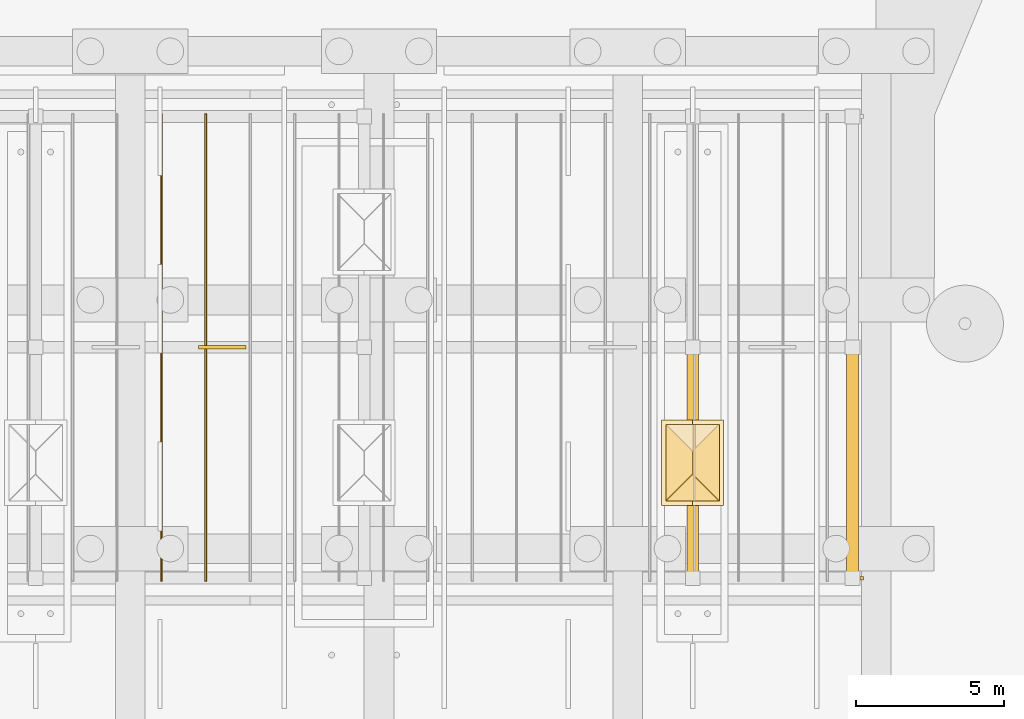
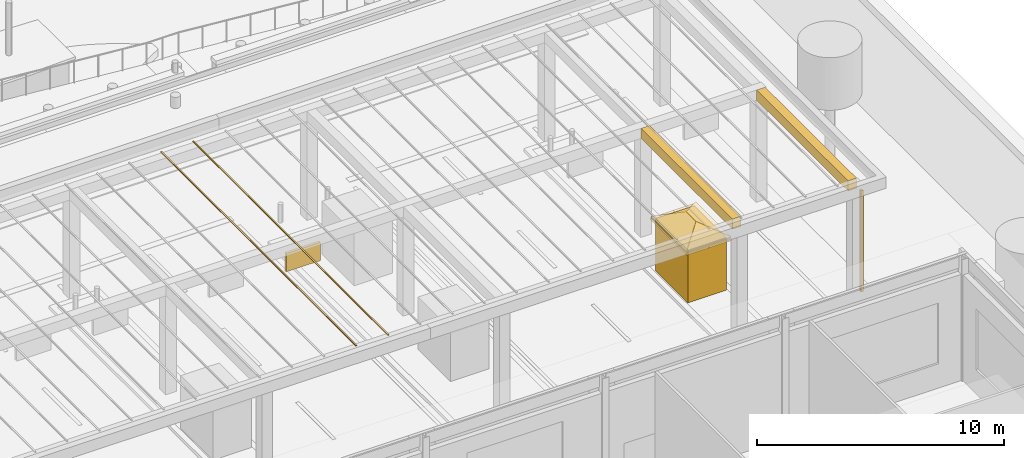
# One storey, part 170 of 222: 12 coverings.
"""IFC4 building model written with IfcOpenShell, lengths in metres."""

from ifc_helpers import new_model, si_unit, direction, frame, origin, origin_2d, place, context, subcontext, project, spatial, polyline, rectangle, outline, extrude, material, layer, layer_set, type_object, element, save


model = new_model("IFC4")

# Units and contexts
model_context = context("Model", 3, precision=1e-05, world=origin(), true_north=direction((0.0, 1.0)))
body_context = subcontext(model_context, "Body", "Model", "MODEL_VIEW")
ifc_project = project(units=[si_unit("LENGTHUNIT", "METRE"), si_unit("AREAUNIT", "SQUARE_METRE"), si_unit("VOLUMEUNIT", "CUBIC_METRE"), si_unit("PLANEANGLEUNIT", "RADIAN"), si_unit("MASSUNIT", "GRAM", prefix="KILO")], contexts=[model_context])

# Site, building, storey
site_placement = place(None, origin())
site = spatial("IfcSite", under=ifc_project, at=site_placement, CompositionType="ELEMENT")
building_placement = place(site_placement, origin())
building = spatial("IfcBuilding", under=site, at=building_placement, Name="Sava Quay Ferry Terminal", CompositionType="ELEMENT")
storey_placement = place(building_placement, origin())
storey = spatial("IfcBuildingStorey", under=building, at=storey_placement, Name="L00", CompositionType="ELEMENT", Elevation=0.0)

# Coverings
ifc_material_1 = material(Name="Steel S355", Category="steel")
ifc_layer_1 = layer(ifc_material_1, 0.39990234375)
ifc_layer_set_1 = layer_set([ifc_layer_1], Name="Steel S355")
covering_type_1 = type_object("IfcCoveringType", Name="Apron canopy beam 400x500", PredefinedType="CLADDING", material=ifc_layer_set_1)
covering_1_placement = place(storey_placement, frame((0.0, 0.0, 5.0)))
element("IfcCovering", 1, at=covering_1_placement, inside=storey, type_object=covering_type_1, Name="Apron canopy cross beam", PredefinedType="CLADDING", context=body_context, shape_type="SweptSolid", body=[
    extrude(outline(polyline([(162.0, 91.60009765625), (162.0, 99.0), (161.60009765625, 99.0), (161.60009765625, 91.60009765625), (162.0, 91.60009765625)])), origin(), (0.0, 0.0, 1.0), 0.5),
])
covering_2_placement = place(storey_placement, frame((0.0, 0.0, 5.0)))
element("IfcCovering", 2, at=covering_2_placement, inside=storey, type_object=covering_type_1, Name="Apron canopy cross beam", PredefinedType="CLADDING", context=body_context, shape_type="SweptSolid", body=[
    extrude(outline(polyline([(167.39990234375, 91.60009765625), (167.39990234375, 99.0), (167.0, 99.0), (167.0, 91.60009765625), (167.39990234375, 91.60009765625)])), origin(), (0.0, 0.0, 1.0), 0.5),
])
ifc_material_2 = material(Name="Steel S355", Category="steel")
ifc_layer_2 = layer(ifc_material_2, 0.1201171875)
ifc_layer_set_2 = layer_set([ifc_layer_2], Name="Steel S355")
covering_type_2 = type_object("IfcCoveringType", Name="Lane signal board 1600x900", PredefinedType="CLADDING", material=ifc_layer_set_2)
covering_3_placement = place(storey_placement, frame((145.89990234375, 99.199951171875, 4.10009765625), z_axis=(0.0, 0.0, 1.0), x_axis=(1.0, 0.0, 0.0)))
element("IfcCovering", 3, at=covering_3_placement, inside=storey, type_object=covering_type_2, Name="Lane signal board", PredefinedType="CLADDING", context=body_context, shape_type="SweptSolid", body=[
    extrude(rectangle(XDim=1.60009765625, YDim=0.1201171875, at=origin_2d()), origin(), (0.0, 0.0, 1.0), 0.89990234375),
])
ifc_material_3 = material(Name="Zinc standing seam")
ifc_layer_3 = layer(ifc_material_3, 0.1201171875)
ifc_layer_set_3 = layer_set([ifc_layer_3], Name="Zinc standing seam")
covering_type_3 = type_object("IfcCoveringType", Name="Rainwater pipe 120", PredefinedType="CLADDING", material=ifc_layer_set_3)
covering_4_placement = place(storey_placement, frame((167.510009765625, 91.39990234375, 0.0), z_axis=(0.0, 0.0, 1.0), x_axis=(1.0, 0.0, 0.0)))
element("IfcCovering", 4, at=covering_4_placement, inside=storey, type_object=covering_type_3, Name="Rainwater pipe", PredefinedType="CLADDING", context=body_context, shape_type="SweptSolid", body=[
    extrude(rectangle(XDim=0.1201171875, YDim=0.1201171875, at=origin_2d()), origin(), (0.0, 0.0, 1.0), 5.0),
])
ifc_material_4 = material(Name="Zinc standing seam")
ifc_layer_4 = layer(ifc_material_4, 0.0400390625)
ifc_layer_set_4 = layer_set([ifc_layer_4], Name="Zinc standing seam")
covering_type_4 = type_object("IfcCoveringType", Name="Roof seam rib 60", PredefinedType="ROOFING", material=ifc_layer_set_4)
for number, where, z_axis, x_axis, name in (
    (5, (143.820068359375, 91.300048828125, 5.659912109375), (0.0, 0.0, 1.0), (0.0, 1.0, 0.0), "Roof seam rib"),
    (6, (145.320068359375, 91.300048828125, 5.659912109375), (0.0, 0.0, 1.0), (0.0, 1.0, 0.0), "Roof seam rib"),
):
    element("IfcCovering", number, at=place(storey_placement, frame(where, z_axis=z_axis, x_axis=x_axis)), inside=storey, type_object=covering_type_4, Name=name, PredefinedType="ROOFING", context=body_context, shape_type="SweptSolid", body=[
        extrude(outline(polyline([(0.0, 0.0), (15.800048828125, 0.0), (15.800048828125, -0.059814453125), (0.0, -0.059814453125), (0.0, 0.0)])), origin(), (0.0, 0.0, -1.0), 0.0400390625),
    ])
ifc_material_5 = material(Name="Limestone Mutalj", Category="masonry")
ifc_layer_5 = layer(ifc_material_5, 1.800048828125)
ifc_layer_set_5 = layer_set([ifc_layer_5], Name="Limestone Mutalj")
covering_type_5 = type_object("IfcCoveringType", Name="Ticket booth body 1800x2600", PredefinedType="CLADDING", material=ifc_layer_set_5)
covering_5_placement = place(storey_placement, frame((0.0, 0.0, 0.14990234375)))
element("IfcCovering", 7, at=covering_5_placement, inside=storey, type_object=covering_type_5, Name="Ticket booth body", PredefinedType="CLADDING", context=body_context, shape_type="SweptSolid", body=[
    extrude(outline(polyline([(162.699951171875, 94.0), (162.699951171875, 96.60009765625), (160.89990234375, 96.60009765625), (160.89990234375, 94.0), (162.699951171875, 94.0)])), origin(), (0.0, 0.0, 1.0), 2.60009765625),
])
ifc_material_6 = material(Name="Zinc standing seam")
ifc_layer_6 = layer(ifc_material_6, 0.080078125)
ifc_layer_set_6 = layer_set([ifc_layer_6], Name="Zinc standing seam")
covering_type_6 = type_object("IfcCoveringType", Name="Ticket booth hip roof panel 80", PredefinedType="ROOFING", material=ifc_layer_set_6)
covering_6_placement = place(storey_placement, frame((160.757080078125, 93.85009765625, 2.822265625), z_axis=(0.0, -0.429998779525, 0.90282946873), x_axis=(1.0, 0.0, 0.0)))
element("IfcCovering", 8, at=covering_6_placement, inside=storey, type_object=covering_type_6, Name="Ticket booth hip roof panel", PredefinedType="ROOFING", context=body_context, shape_type="SweptSolid", body=[
    extrude(outline(polyline([(0.0, 0.0), (2.0859375, 0.0), (1.035888671875, 1.1627939980482238), (1.050048828125, 1.1627939980482238), (0.0, 0.0)])), origin(), (0.0, 0.0, -1.0), 0.080078125),
])
covering_7_placement = place(storey_placement, frame((160.75, 96.742919921875, 2.822265625), z_axis=(-0.429884356085, 0.0, 0.902883957324), x_axis=(0.0, -1.0, 0.0)))
element("IfcCovering", 9, at=covering_7_placement, inside=storey, type_object=covering_type_6, Name="Ticket booth hip roof panel", PredefinedType="ROOFING", context=body_context, shape_type="SweptSolid", body=[
    extrude(outline(polyline([(0.0, 0.0), (2.8857421875, 0.0), (1.843017578125, 1.1551525991127485), (1.04296875, 1.1551525991127485), (0.0, 0.0)])), origin(), (0.0, 0.0, -1.0), 0.080078125),
])
covering_8_placement = place(storey_placement, frame((162.85009765625, 93.857177734375, 2.822265625), z_axis=(0.429884356085, 0.0, 0.902883957324), x_axis=(0.0, 1.0, 0.0)))
element("IfcCovering", 10, at=covering_8_placement, inside=storey, type_object=covering_type_6, Name="Ticket booth hip roof panel", PredefinedType="ROOFING", context=body_context, shape_type="SweptSolid", body=[
    extrude(outline(polyline([(0.0, 0.0), (2.8857421875, 0.0), (1.8427734375, 1.1551525991127485), (1.042724609375, 1.1551525991127485), (0.0, 0.0)])), origin(), (0.0, 0.0, -1.0), 0.080078125),
])
ifc_material_7 = material(Name="Limestone Mutalj", Category="masonry")
ifc_layer_7 = layer(ifc_material_7, 0.1201171875)
ifc_layer_set_7 = layer_set([ifc_layer_7], Name="Limestone Mutalj")
covering_type_7 = type_object("IfcCoveringType", Name="Ticket booth ledge 2200", PredefinedType="MOLDING", material=ifc_layer_set_7)
covering_9_placement = place(storey_placement, frame((0.0, 0.0, 2.6298828125)))
element("IfcCovering", 11, at=covering_9_placement, inside=storey, type_object=covering_type_7, Name="Ticket booth ledge", PredefinedType="MOLDING", context=body_context, shape_type="SweptSolid", body=[
    extrude(outline(polyline([(160.75, 96.75), (160.75, 93.85009765625), (161.800048828125, 93.85009765625), (161.800048828125, 94.0), (160.89990234375, 94.0), (160.89990234375, 96.60009765625), (161.800048828125, 96.60009765625), (161.800048828125, 96.75), (160.75, 96.75)])), origin(), (0.0, 0.0, 1.0), 0.1201171875),
])
covering_10_placement = place(storey_placement, frame((0.0, 0.0, 2.6298828125)))
element("IfcCovering", 12, at=covering_10_placement, inside=storey, type_object=covering_type_7, Name="Ticket booth ledge", PredefinedType="MOLDING", context=body_context, shape_type="SweptSolid", body=[
    extrude(outline(polyline([(162.85009765625, 96.75), (161.800048828125, 96.75), (161.800048828125, 96.60009765625), (162.699951171875, 96.60009765625), (162.699951171875, 94.0), (161.800048828125, 94.0), (161.800048828125, 93.85009765625), (162.85009765625, 93.85009765625), (162.85009765625, 96.75)])), origin(), (0.0, 0.0, 1.0), 0.1201171875),
])

save(model, "model.ifc")
